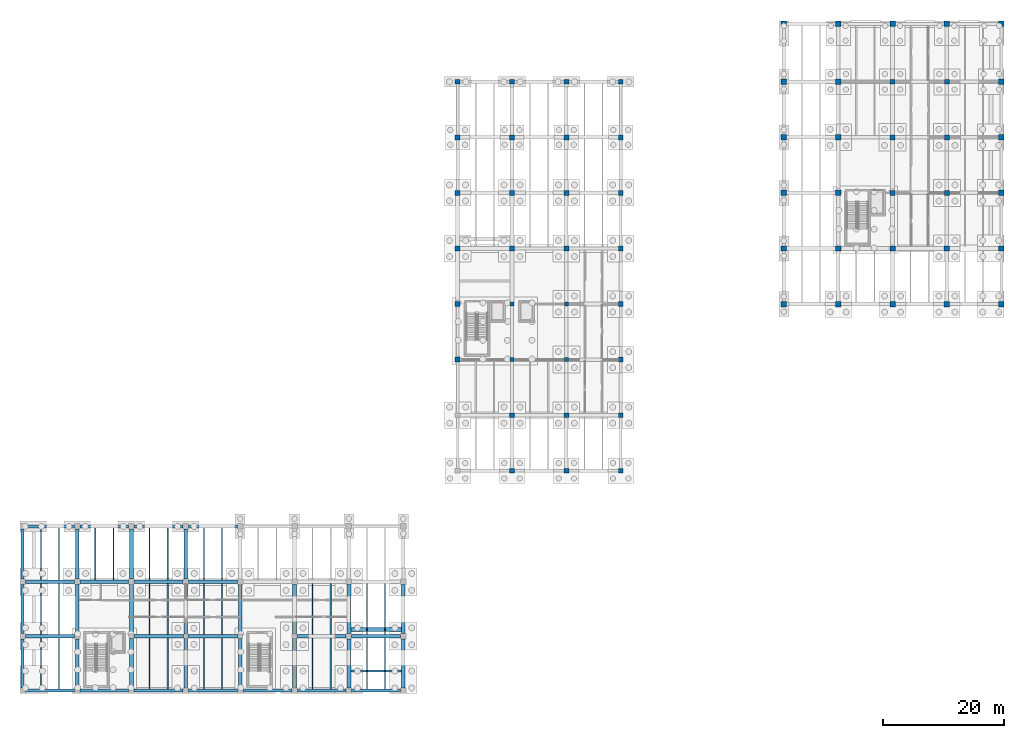
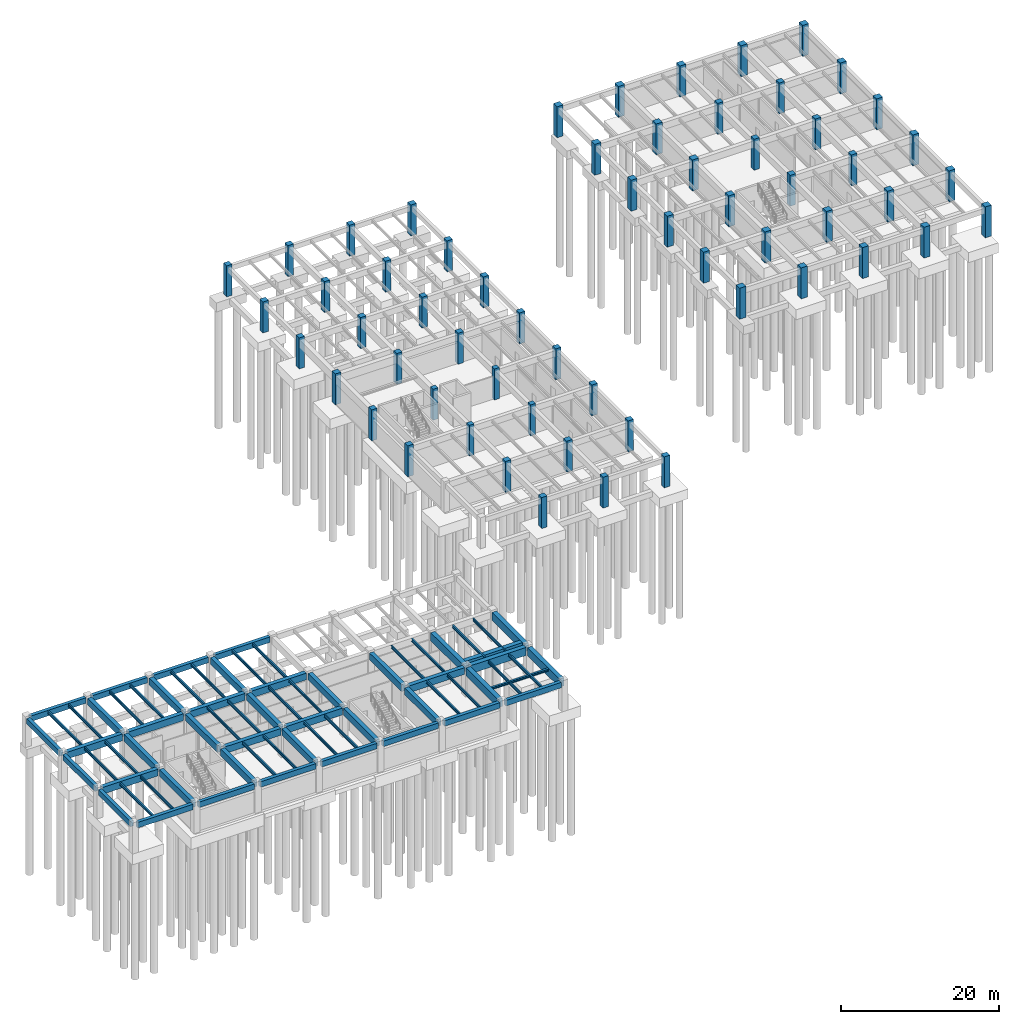
# One storey, part 5 of 16: 70 beams, 60 columns.
"""IFC4 building model written with IfcOpenShell, lengths in metres."""

from ifc_helpers import new_model, si_unit, direction, frame, origin, origin_2d, place, context, subcontext, project, spatial, rectangle, i_section, extrude, material, material_profile, profile_set, type_object, element, save


model = new_model("IFC4")

# Units and contexts
model_context = context("Model", 3, precision=1e-05, world=origin(), true_north=direction((0.0, 1.0)))
body_context = subcontext(model_context, "Body", "Model", "MODEL_VIEW")
ifc_project = project(units=[si_unit("LENGTHUNIT", "METRE"), si_unit("AREAUNIT", "SQUARE_METRE"), si_unit("VOLUMEUNIT", "CUBIC_METRE"), si_unit("PLANEANGLEUNIT", "RADIAN"), si_unit("MASSUNIT", "GRAM", prefix="KILO")], contexts=[model_context])

# Site, building, storey
site_placement = place(None, origin())
site = spatial("IfcSite", under=ifc_project, at=site_placement, CompositionType="ELEMENT")
building_placement = place(site_placement, origin())
building = spatial("IfcBuilding", under=site, at=building_placement, Name="Bozkorgan Art Gallery", CompositionType="ELEMENT")
storey_placement = place(building_placement, frame((0.0, 0.0, -4.800048828125)))
storey = spatial("IfcBuildingStorey", under=building, at=storey_placement, Name="B1", CompositionType="ELEMENT", Elevation=-4.800048828125)

# Columns
ifc_material_1 = material(Name="Concrete C40/50", Category="concrete")
ifc_material_profile_1 = material_profile(ifc_material_1, rectangle(XDim=0.699951171875, YDim=0.699951171875, at=origin_2d()), Name="RC 700x700")
ifc_profile_set_1 = profile_set([ifc_material_profile_1], Name="Concrete C40/50")
column_type_1 = type_object("IfcColumnType", Name="COLUMN-C-11", PredefinedType="COLUMN", material=ifc_profile_set_1)
for number, where, z_axis, x_axis, name in (
    (1, (83.0, 56.800048828125, 0.0), (0.0, 0.0, 1.0), (1.0, 0.0, 0.0), "V4 B1 column (83.0, 56.8)"),
    (2, (83.0, 66.0, 0.0), (0.0, 0.0, 1.0), (1.0, 0.0, 0.0), "V4 B1 column (83.0, 66.0)"),
    (3, (92.0, 56.800048828125, 0.0), (0.0, 0.0, 1.0), (1.0, 0.0, 0.0), "V4 B1 column (92.0, 56.8)"),
    (4, (92.0, 66.0, 0.0), (0.0, 0.0, 1.0), (1.0, 0.0, 0.0), "V4 B1 column (92.0, 66.0)"),
):
    element("IfcColumn", number, at=place(storey_placement, frame(where, z_axis=z_axis, x_axis=x_axis)), inside=storey, type_object=column_type_1, Name=name, PredefinedType="COLUMN", context=body_context, shape_type="SweptSolid", body=[
        extrude(rectangle(XDim=0.699951171875, YDim=0.699951171875, at=origin_2d()), origin(), (0.0, 0.0, 1.0), 4.800048828125),
    ])
ifc_material_profile_2 = material_profile(ifc_material_1, rectangle(XDim=0.89990234375, YDim=0.89990234375, at=origin_2d()), Name="RC 900x900")
ifc_profile_set_2 = profile_set([ifc_material_profile_2], Name="Concrete C40/50")
column_type_2 = type_object("IfcColumnType", Name="COLUMN-C-13", PredefinedType="COLUMN", material=ifc_profile_set_2)
for number, where, z_axis, x_axis, name in (
    (5, (128.0, 66.0, 0.0), (0.0, 0.0, 1.0), (1.0, 0.0, 0.0), "V5 B1 column (128.0, 66.0)"),
    (6, (128.0, 75.199951171875, 0.0), (0.0, 0.0, 1.0), (1.0, 0.0, 0.0), "V5 B1 column (128.0, 75.2)"),
    (7, (128.0, 84.39990234375, 0.0), (0.0, 0.0, 1.0), (1.0, 0.0, 0.0), "V5 B1 column (128.0, 84.4)"),
    (8, (128.0, 93.60009765625, 0.0), (0.0, 0.0, 1.0), (1.0, 0.0, 0.0), "V5 B1 column (128.0, 93.6)"),
    (9, (128.0, 102.800048828125, 0.0), (0.0, 0.0, 1.0), (1.0, 0.0, 0.0), "V5 B1 column (128.0, 102.8)"),
    (10, (128.0, 112.39990234375, 0.0), (0.0, 0.0, 1.0), (1.0, 0.0, 0.0), "V5 B1 column (128.0, 112.4)"),
    (11, (137.0, 66.0, 0.0), (0.0, 0.0, 1.0), (1.0, 0.0, 0.0), "V5 B1 column (137.0, 66.0)"),
    (12, (137.0, 75.199951171875, 0.0), (0.0, 0.0, 1.0), (1.0, 0.0, 0.0), "V5 B1 column (137.0, 75.2)"),
    (13, (137.0, 84.39990234375, 0.0), (0.0, 0.0, 1.0), (1.0, 0.0, 0.0), "V5 B1 column (137.0, 84.4)"),
    (14, (137.0, 93.60009765625, 0.0), (0.0, 0.0, 1.0), (1.0, 0.0, 0.0), "V5 B1 column (137.0, 93.6)"),
    (15, (137.0, 102.800048828125, 0.0), (0.0, 0.0, 1.0), (1.0, 0.0, 0.0), "V5 B1 column (137.0, 102.8)"),
    (16, (137.0, 112.39990234375, 0.0), (0.0, 0.0, 1.0), (1.0, 0.0, 0.0), "V5 B1 column (137.0, 112.4)"),
    (17, (146.0, 66.0, 0.0), (0.0, 0.0, 1.0), (1.0, 0.0, 0.0), "V5 B1 column (146.0, 66.0)"),
    (18, (146.0, 75.199951171875, 0.0), (0.0, 0.0, 1.0), (1.0, 0.0, 0.0), "V5 B1 column (146.0, 75.2)"),
    (19, (146.0, 112.39990234375, 0.0), (0.0, 0.0, 1.0), (1.0, 0.0, 0.0), "V5 B1 column (146.0, 112.4)"),
    (20, (155.0, 66.0, 0.0), (0.0, 0.0, 1.0), (1.0, 0.0, 0.0), "V5 B1 column (155.0, 66.0)"),
    (21, (155.0, 75.199951171875, 0.0), (0.0, 0.0, 1.0), (1.0, 0.0, 0.0), "V5 B1 column (155.0, 75.2)"),
    (22, (155.0, 112.39990234375, 0.0), (0.0, 0.0, 1.0), (1.0, 0.0, 0.0), "V5 B1 column (155.0, 112.4)"),
    (23, (164.0, 66.0, 0.0), (0.0, 0.0, 1.0), (1.0, 0.0, 0.0), "V5 B1 column (164.0, 66.0)"),
    (24, (164.0, 75.199951171875, 0.0), (0.0, 0.0, 1.0), (1.0, 0.0, 0.0), "V5 B1 column (164.0, 75.2)"),
    (25, (164.0, 84.39990234375, 0.0), (0.0, 0.0, 1.0), (1.0, 0.0, 0.0), "V5 B1 column (164.0, 84.4)"),
    (26, (164.0, 93.60009765625, 0.0), (0.0, 0.0, 1.0), (1.0, 0.0, 0.0), "V5 B1 column (164.0, 93.6)"),
    (27, (164.0, 102.800048828125, 0.0), (0.0, 0.0, 1.0), (1.0, 0.0, 0.0), "V5 B1 column (164.0, 102.8)"),
    (28, (164.0, 112.39990234375, 0.0), (0.0, 0.0, 1.0), (1.0, 0.0, 0.0), "V5 B1 column (164.0, 112.4)"),
):
    element("IfcColumn", number, at=place(storey_placement, frame(where, z_axis=z_axis, x_axis=x_axis)), inside=storey, type_object=column_type_2, Name=name, PredefinedType="COLUMN", context=body_context, shape_type="SweptSolid", body=[
        extrude(rectangle(XDim=0.89990234375, YDim=0.89990234375, at=origin_2d()), origin(), (0.0, 0.0, 1.0), 4.800048828125),
    ])
ifc_material_profile_3 = material_profile(ifc_material_1, rectangle(XDim=0.800048828125, YDim=0.800048828125, at=origin_2d()), Name="RC 800x800")
ifc_profile_set_3 = profile_set([ifc_material_profile_3], Name="Concrete C40/50")
column_type_3 = type_object("IfcColumnType", Name="COLUMN-C-29", PredefinedType="COLUMN", material=ifc_profile_set_3)
for number, where, z_axis, x_axis, name in (
    (29, (146.0, 84.39990234375, 0.0), (0.0, 0.0, 1.0), (1.0, 0.0, 0.0), "V5 B1 column (146.0, 84.4)"),
    (30, (146.0, 93.60009765625, 0.0), (0.0, 0.0, 1.0), (1.0, 0.0, 0.0), "V5 B1 column (146.0, 93.6)"),
    (31, (146.0, 102.800048828125, 0.0), (0.0, 0.0, 1.0), (1.0, 0.0, 0.0), "V5 B1 column (146.0, 102.8)"),
    (32, (155.0, 84.39990234375, 0.0), (0.0, 0.0, 1.0), (1.0, 0.0, 0.0), "V5 B1 column (155.0, 84.4)"),
    (33, (155.0, 93.60009765625, 0.0), (0.0, 0.0, 1.0), (1.0, 0.0, 0.0), "V5 B1 column (155.0, 93.6)"),
    (34, (155.0, 102.800048828125, 0.0), (0.0, 0.0, 1.0), (1.0, 0.0, 0.0), "V5 B1 column (155.0, 102.8)"),
):
    element("IfcColumn", number, at=place(storey_placement, frame(where, z_axis=z_axis, x_axis=x_axis)), inside=storey, type_object=column_type_3, Name=name, PredefinedType="COLUMN", context=body_context, shape_type="SweptSolid", body=[
        extrude(rectangle(XDim=0.800048828125, YDim=0.800048828125, at=origin_2d()), origin(), (0.0, 0.0, 1.0), 4.800048828125),
    ])
ifc_material_profile_4 = material_profile(ifc_material_1, rectangle(XDim=0.800048828125, YDim=0.800048828125, at=origin_2d()), Name="RC 800x800")
ifc_profile_set_4 = profile_set([ifc_material_profile_4], Name="Concrete C40/50")
column_type_4 = type_object("IfcColumnType", Name="COLUMN-C-45", PredefinedType="COLUMN", material=ifc_profile_set_4)
for number, where, z_axis, x_axis, name in (
    (35, (74.0, 56.800048828125, 0.0), (0.0, 0.0, 1.0), (1.0, 0.0, 0.0), "V4 B1 column (74.0, 56.8)"),
    (36, (74.0, 66.0, 0.0), (0.0, 0.0, 1.0), (1.0, 0.0, 0.0), "V4 B1 column (74.0, 66.0)"),
    (37, (74.0, 75.199951171875, 0.0), (0.0, 0.0, 1.0), (1.0, 0.0, 0.0), "V4 B1 column (74.0, 75.2)"),
    (38, (74.0, 84.39990234375, 0.0), (0.0, 0.0, 1.0), (1.0, 0.0, 0.0), "V4 B1 column (74.0, 84.4)"),
    (39, (74.0, 93.60009765625, 0.0), (0.0, 0.0, 1.0), (1.0, 0.0, 0.0), "V4 B1 column (74.0, 93.6)"),
    (40, (74.0, 102.800048828125, 0.0), (0.0, 0.0, 1.0), (1.0, 0.0, 0.0), "V4 B1 column (74.0, 102.8)"),
    (41, (83.0, 38.39990234375, 0.0), (0.0, 0.0, 1.0), (1.0, 0.0, 0.0), "V4 B1 column (83.0, 38.4)"),
    (42, (83.0, 47.60009765625, 0.0), (0.0, 0.0, 1.0), (1.0, 0.0, 0.0), "V4 B1 column (83.0, 47.6)"),
    (43, (83.0, 75.199951171875, 0.0), (0.0, 0.0, 1.0), (1.0, 0.0, 0.0), "V4 B1 column (83.0, 75.2)"),
    (44, (83.0, 84.39990234375, 0.0), (0.0, 0.0, 1.0), (1.0, 0.0, 0.0), "V4 B1 column (83.0, 84.4)"),
    (45, (83.0, 93.60009765625, 0.0), (0.0, 0.0, 1.0), (1.0, 0.0, 0.0), "V4 B1 column (83.0, 93.6)"),
    (46, (83.0, 102.800048828125, 0.0), (0.0, 0.0, 1.0), (1.0, 0.0, 0.0), "V4 B1 column (83.0, 102.8)"),
    (47, (92.0, 38.39990234375, 0.0), (0.0, 0.0, 1.0), (1.0, 0.0, 0.0), "V4 B1 column (92.0, 38.4)"),
    (48, (92.0, 47.60009765625, 0.0), (0.0, 0.0, 1.0), (1.0, 0.0, 0.0), "V4 B1 column (92.0, 47.6)"),
    (49, (92.0, 75.199951171875, 0.0), (0.0, 0.0, 1.0), (1.0, 0.0, 0.0), "V4 B1 column (92.0, 75.2)"),
    (50, (92.0, 84.39990234375, 0.0), (0.0, 0.0, 1.0), (1.0, 0.0, 0.0), "V4 B1 column (92.0, 84.4)"),
    (51, (92.0, 93.60009765625, 0.0), (0.0, 0.0, 1.0), (1.0, 0.0, 0.0), "V4 B1 column (92.0, 93.6)"),
    (52, (92.0, 102.800048828125, 0.0), (0.0, 0.0, 1.0), (1.0, 0.0, 0.0), "V4 B1 column (92.0, 102.8)"),
    (53, (101.0, 38.39990234375, 0.0), (0.0, 0.0, 1.0), (1.0, 0.0, 0.0), "V4 B1 column (101.0, 38.4)"),
    (54, (101.0, 47.60009765625, 0.0), (0.0, 0.0, 1.0), (1.0, 0.0, 0.0), "V4 B1 column (101.0, 47.6)"),
    (55, (101.0, 56.800048828125, 0.0), (0.0, 0.0, 1.0), (1.0, 0.0, 0.0), "V4 B1 column (101.0, 56.8)"),
    (56, (101.0, 66.0, 0.0), (0.0, 0.0, 1.0), (1.0, 0.0, 0.0), "V4 B1 column (101.0, 66.0)"),
    (57, (101.0, 75.199951171875, 0.0), (0.0, 0.0, 1.0), (1.0, 0.0, 0.0), "V4 B1 column (101.0, 75.2)"),
    (58, (101.0, 84.39990234375, 0.0), (0.0, 0.0, 1.0), (1.0, 0.0, 0.0), "V4 B1 column (101.0, 84.4)"),
    (59, (101.0, 93.60009765625, 0.0), (0.0, 0.0, 1.0), (1.0, 0.0, 0.0), "V4 B1 column (101.0, 93.6)"),
    (60, (101.0, 102.800048828125, 0.0), (0.0, 0.0, 1.0), (1.0, 0.0, 0.0), "V4 B1 column (101.0, 102.8)"),
):
    element("IfcColumn", number, at=place(storey_placement, frame(where, z_axis=z_axis, x_axis=x_axis)), inside=storey, type_object=column_type_4, Name=name, PredefinedType="COLUMN", context=body_context, shape_type="SweptSolid", body=[
        extrude(rectangle(XDim=0.800048828125, YDim=0.800048828125, at=origin_2d()), origin(), (0.0, 0.0, 1.0), 4.800048828125),
    ])

# Beams
ifc_material_2 = material(Name="Concrete C35/45", Category="concrete")
ifc_material_profile_5 = material_profile(ifc_material_2, rectangle(XDim=0.60009765625, YDim=1.050048828125, at=origin_2d()), Name="RC 600x1050")
ifc_profile_set_5 = profile_set([ifc_material_profile_5], Name="Concrete C35/45")
beam_type_1 = type_object("IfcBeamType", Name="BEAM-BM-25", PredefinedType="BEAM", material=ifc_profile_set_5)
beam_1_placement = place(storey_placement, frame((2.449951171875, 11.0, 3.955078125), z_axis=(1.0, 0.0, 0.0), x_axis=(0.0, 1.0, 0.0)))
element("IfcBeam", 61, at=beam_1_placement, inside=storey, type_object=beam_type_1, Name="V1 B1 beam X (2-11, 11.0)", PredefinedType="BEAM", context=body_context, shape_type="SweptSolid", body=[
    extrude(rectangle(XDim=0.60009765625, YDim=1.050048828125, at=origin_2d()), origin(), (0.0, 0.0, 1.0), 8.10009765625),
])
for number, where, z_axis, x_axis, name in (
    (62, (20.39990234375, 11.0, 3.955078125), (1.0, 0.0, 0.0), (0.0, 1.0, 0.0), "V1 B1 beam X (20-29, 11.0)"),
    (63, (29.39990234375, 11.0, 3.955078125), (1.0, 0.0, 0.0), (0.0, 1.0, 0.0), "V1 B1 beam X (29-38, 11.0)"),
):
    element("IfcBeam", number, at=place(storey_placement, frame(where, z_axis=z_axis, x_axis=x_axis)), inside=storey, type_object=beam_type_1, Name=name, PredefinedType="BEAM", context=body_context, shape_type="SweptSolid", body=[
        extrude(rectangle(XDim=0.60009765625, YDim=1.050048828125, at=origin_2d()), origin(), (0.0, 0.0, 1.0), 8.2001953125),
    ])
beam_2_placement = place(storey_placement, frame((47.39990234375, 11.0, 3.955078125), z_axis=(1.0, 0.0, 0.0), x_axis=(0.0, 1.0, 0.0)))
element("IfcBeam", 64, at=beam_2_placement, inside=storey, type_object=beam_type_1, Name="V1 B1 beam X (47-56, 11.0)", PredefinedType="BEAM", context=body_context, shape_type="SweptSolid", body=[
    extrude(rectangle(XDim=0.60009765625, YDim=1.050048828125, at=origin_2d()), origin(), (0.0, 0.0, 1.0), 8.150146484375),
])
for number, where, z_axis, x_axis, name in (
    (65, (2.449951171875, 20.0, 3.955078125), (1.0, 0.0, 0.0), (0.0, 1.0, 0.0), "V1 B1 beam X (2-11, 20.0)"),
    (66, (11.449951171875, 20.0, 3.955078125), (1.0, 0.0, 0.0), (0.0, 1.0, 0.0), "V1 B1 beam X (11-20, 20.0)"),
    (67, (20.449951171875, 20.0, 3.955078125), (1.0, 0.0, 0.0), (0.0, 1.0, 0.0), "V1 B1 beam X (20-29, 20.0)"),
    (68, (29.449951171875, 20.0, 3.955078125), (1.0, 0.0, 0.0), (0.0, 1.0, 0.0), "V1 B1 beam X (29-38, 20.0)"),
    (69, (11.0, 2.449951171875, 3.955078125), (0.0, 1.0, 0.0), (-1.0, 0.0, 0.0), "V1 B1 beam Y (11, 2.0-11.0)"),
    (70, (11.0, 11.449951171875, 3.955078125), (0.0, 1.0, 0.0), (-1.0, 0.0, 0.0), "V1 B1 beam Y (11, 11.0-20.0)"),
):
    element("IfcBeam", number, at=place(storey_placement, frame(where, z_axis=z_axis, x_axis=x_axis)), inside=storey, type_object=beam_type_1, Name=name, PredefinedType="BEAM", context=body_context, shape_type="SweptSolid", body=[
        extrude(rectangle(XDim=0.60009765625, YDim=1.050048828125, at=origin_2d()), origin(), (0.0, 0.0, 1.0), 8.10009765625),
    ])
beam_3_placement = place(storey_placement, frame((11.0, 20.449951171875, 3.955078125), z_axis=(0.0, 1.0, 0.0), x_axis=(-1.0, 0.0, 0.0)))
element("IfcBeam", 71, at=beam_3_placement, inside=storey, type_object=beam_type_1, Name="V1 B1 beam Y (11, 20.0-29.2)", PredefinedType="BEAM", context=body_context, shape_type="SweptSolid", body=[
    extrude(rectangle(XDim=0.60009765625, YDim=1.050048828125, at=origin_2d()), origin(), (0.0, 0.0, 1.0), 8.300048828125),
])
for number, where, z_axis, x_axis, name in (
    (72, (20.0, 2.449951171875, 3.955078125), (0.0, 1.0, 0.0), (-1.0, 0.0, 0.0), "V1 B1 beam Y (20, 2.0-11.0)"),
    (73, (20.0, 11.39990234375, 3.955078125), (0.0, 1.0, 0.0), (-1.0, 0.0, 0.0), "V1 B1 beam Y (20, 11.0-20.0)"),
):
    element("IfcBeam", number, at=place(storey_placement, frame(where, z_axis=z_axis, x_axis=x_axis)), inside=storey, type_object=beam_type_1, Name=name, PredefinedType="BEAM", context=body_context, shape_type="SweptSolid", body=[
        extrude(rectangle(XDim=0.60009765625, YDim=1.050048828125, at=origin_2d()), origin(), (0.0, 0.0, 1.0), 8.150146484375),
    ])
beam_4_placement = place(storey_placement, frame((20.0, 20.449951171875, 3.955078125), z_axis=(0.0, 1.0, 0.0), x_axis=(-1.0, 0.0, 0.0)))
element("IfcBeam", 74, at=beam_4_placement, inside=storey, type_object=beam_type_1, Name="V1 B1 beam Y (20, 20.0-29.2)", PredefinedType="BEAM", context=body_context, shape_type="SweptSolid", body=[
    extrude(rectangle(XDim=0.60009765625, YDim=1.050048828125, at=origin_2d()), origin(), (0.0, 0.0, 1.0), 8.300048828125),
])
for number, where, z_axis, x_axis, name in (
    (75, (29.0, 2.449951171875, 3.955078125), (0.0, 1.0, 0.0), (-1.0, 0.0, 0.0), "V1 B1 beam Y (29, 2.0-11.0)"),
    (76, (29.0, 11.39990234375, 3.955078125), (0.0, 1.0, 0.0), (-1.0, 0.0, 0.0), "V1 B1 beam Y (29, 11.0-20.0)"),
):
    element("IfcBeam", number, at=place(storey_placement, frame(where, z_axis=z_axis, x_axis=x_axis)), inside=storey, type_object=beam_type_1, Name=name, PredefinedType="BEAM", context=body_context, shape_type="SweptSolid", body=[
        extrude(rectangle(XDim=0.60009765625, YDim=1.050048828125, at=origin_2d()), origin(), (0.0, 0.0, 1.0), 8.150146484375),
    ])
beam_5_placement = place(storey_placement, frame((29.0, 20.449951171875, 3.955078125), z_axis=(0.0, 1.0, 0.0), x_axis=(-1.0, 0.0, 0.0)))
element("IfcBeam", 77, at=beam_5_placement, inside=storey, type_object=beam_type_1, Name="V1 B1 beam Y (29, 20.0-29.2)", PredefinedType="BEAM", context=body_context, shape_type="SweptSolid", body=[
    extrude(rectangle(XDim=0.60009765625, YDim=1.050048828125, at=origin_2d()), origin(), (0.0, 0.0, 1.0), 8.300048828125),
])
for number, where, z_axis, x_axis, name in (
    (78, (38.0, 2.449951171875, 3.955078125), (0.0, 1.0, 0.0), (-1.0, 0.0, 0.0), "V1 B1 beam Y (38, 2.0-11.0)"),
    (79, (38.0, 11.39990234375, 3.955078125), (0.0, 1.0, 0.0), (-1.0, 0.0, 0.0), "V1 B1 beam Y (38, 11.0-20.0)"),
    (80, (47.0, 2.449951171875, 3.955078125), (0.0, 1.0, 0.0), (-1.0, 0.0, 0.0), "V1 B1 beam Y (47, 2.0-11.0)"),
    (81, (47.0, 11.39990234375, 3.955078125), (0.0, 1.0, 0.0), (-1.0, 0.0, 0.0), "V1 B1 beam Y (47, 11.0-20.0)"),
):
    element("IfcBeam", number, at=place(storey_placement, frame(where, z_axis=z_axis, x_axis=x_axis)), inside=storey, type_object=beam_type_1, Name=name, PredefinedType="BEAM", context=body_context, shape_type="SweptSolid", body=[
        extrude(rectangle(XDim=0.60009765625, YDim=1.050048828125, at=origin_2d()), origin(), (0.0, 0.0, 1.0), 8.150146484375),
    ])
ifc_material_3 = material(Name="Steel S355J2", Category="steel")
ifc_material_profile_6 = material_profile(ifc_material_3, i_section(OverallWidth=0.18994140625, OverallDepth=0.449951171875, WebThickness=0.009521484375, FlangeThickness=0.0146484375, FilletRadius=0.02099609375, at=origin_2d()), Name="IPE 450")
ifc_profile_set_6 = profile_set([ifc_material_profile_6], Name="Steel S355J2")
beam_type_2 = type_object("IfcBeamType", Name="BEAM-JS-56", PredefinedType="JOIST", material=ifc_profile_set_6)
for number, where, z_axis, x_axis, name in (
    (82, (5.0, 2.25, 4.255126953125), (0.0, 1.0, 0.0), (-1.0, 0.0, 0.0), "V1 B1 secondary joist (2-11, 2.0-11.0) #1"),
    (83, (8.0, 2.25, 4.255126953125), (0.0, 1.0, 0.0), (-1.0, 0.0, 0.0), "V1 B1 secondary joist (2-11, 2.0-11.0) #2"),
):
    element("IfcBeam", number, at=place(storey_placement, frame(where, z_axis=z_axis, x_axis=x_axis)), inside=storey, type_object=beam_type_2, Name=name, PredefinedType="JOIST", context=body_context, shape_type="SweptSolid", body=[
        extrude(i_section(OverallWidth=0.18994140625, OverallDepth=0.449951171875, WebThickness=0.009521484375, FlangeThickness=0.0146484375, FilletRadius=0.02099609375, at=origin_2d()), origin(), (0.0, 0.0, 1.0), 8.449951171875),
    ])
for number, where, z_axis, x_axis, name in (
    (84, (5.0, 11.300048828125, 4.255126953125), (0.0, 1.0, 0.0), (-1.0, 0.0, 0.0), "V1 B1 secondary joist (2-11, 11.0-20.0) #1"),
    (85, (8.0, 11.300048828125, 4.255126953125), (0.0, 1.0, 0.0), (-1.0, 0.0, 0.0), "V1 B1 secondary joist (2-11, 11.0-20.0) #2"),
):
    element("IfcBeam", number, at=place(storey_placement, frame(where, z_axis=z_axis, x_axis=x_axis)), inside=storey, type_object=beam_type_2, Name=name, PredefinedType="JOIST", context=body_context, shape_type="SweptSolid", body=[
        extrude(i_section(OverallWidth=0.18994140625, OverallDepth=0.449951171875, WebThickness=0.009521484375, FlangeThickness=0.0146484375, FilletRadius=0.02099609375, at=origin_2d()), origin(), (0.0, 0.0, 1.0), 8.39990234375),
    ])
for number, where, z_axis, x_axis, name in (
    (86, (5.0, 20.300048828125, 4.255126953125), (0.0, 1.0, 0.0), (-1.0, 0.0, 0.0), "V1 B1 secondary joist (2-11, 20.0-29.2) #1"),
    (87, (8.0, 20.300048828125, 4.255126953125), (0.0, 1.0, 0.0), (-1.0, 0.0, 0.0), "V1 B1 secondary joist (2-11, 20.0-29.2) #2"),
    (88, (14.0, 20.300048828125, 4.255126953125), (0.0, 1.0, 0.0), (-1.0, 0.0, 0.0), "V1 B1 secondary joist (11-20, 20.0-29.2) #1"),
    (89, (17.0, 20.300048828125, 4.255126953125), (0.0, 1.0, 0.0), (-1.0, 0.0, 0.0), "V1 B1 secondary joist (11-20, 20.0-29.2) #2"),
):
    element("IfcBeam", number, at=place(storey_placement, frame(where, z_axis=z_axis, x_axis=x_axis)), inside=storey, type_object=beam_type_2, Name=name, PredefinedType="JOIST", context=body_context, shape_type="SweptSolid", body=[
        extrude(i_section(OverallWidth=0.18994140625, OverallDepth=0.449951171875, WebThickness=0.009521484375, FlangeThickness=0.0146484375, FilletRadius=0.02099609375, at=origin_2d()), origin(), (0.0, 0.0, 1.0), 8.64990234375),
    ])
for number, where, z_axis, x_axis, name in (
    (90, (23.0, 2.25, 4.255126953125), (0.0, 1.0, 0.0), (-1.0, 0.0, 0.0), "V1 B1 secondary joist (20-29, 2.0-11.0) #1"),
    (91, (26.0, 2.25, 4.255126953125), (0.0, 1.0, 0.0), (-1.0, 0.0, 0.0), "V1 B1 secondary joist (20-29, 2.0-11.0) #2"),
):
    element("IfcBeam", number, at=place(storey_placement, frame(where, z_axis=z_axis, x_axis=x_axis)), inside=storey, type_object=beam_type_2, Name=name, PredefinedType="JOIST", context=body_context, shape_type="SweptSolid", body=[
        extrude(i_section(OverallWidth=0.18994140625, OverallDepth=0.449951171875, WebThickness=0.009521484375, FlangeThickness=0.0146484375, FilletRadius=0.02099609375, at=origin_2d()), origin(), (0.0, 0.0, 1.0), 8.449951171875),
    ])
for number, where, z_axis, x_axis, name in (
    (92, (23.0, 11.300048828125, 4.255126953125), (0.0, 1.0, 0.0), (-1.0, 0.0, 0.0), "V1 B1 secondary joist (20-29, 11.0-20.0) #1"),
    (93, (26.0, 11.300048828125, 4.255126953125), (0.0, 1.0, 0.0), (-1.0, 0.0, 0.0), "V1 B1 secondary joist (20-29, 11.0-20.0) #2"),
):
    element("IfcBeam", number, at=place(storey_placement, frame(where, z_axis=z_axis, x_axis=x_axis)), inside=storey, type_object=beam_type_2, Name=name, PredefinedType="JOIST", context=body_context, shape_type="SweptSolid", body=[
        extrude(i_section(OverallWidth=0.18994140625, OverallDepth=0.449951171875, WebThickness=0.009521484375, FlangeThickness=0.0146484375, FilletRadius=0.02099609375, at=origin_2d()), origin(), (0.0, 0.0, 1.0), 8.39990234375),
    ])
for number, where, z_axis, x_axis, name in (
    (94, (23.0, 20.300048828125, 4.255126953125), (0.0, 1.0, 0.0), (-1.0, 0.0, 0.0), "V1 B1 secondary joist (20-29, 20.0-29.2) #1"),
    (95, (26.0, 20.300048828125, 4.255126953125), (0.0, 1.0, 0.0), (-1.0, 0.0, 0.0), "V1 B1 secondary joist (20-29, 20.0-29.2) #2"),
):
    element("IfcBeam", number, at=place(storey_placement, frame(where, z_axis=z_axis, x_axis=x_axis)), inside=storey, type_object=beam_type_2, Name=name, PredefinedType="JOIST", context=body_context, shape_type="SweptSolid", body=[
        extrude(i_section(OverallWidth=0.18994140625, OverallDepth=0.449951171875, WebThickness=0.009521484375, FlangeThickness=0.0146484375, FilletRadius=0.02099609375, at=origin_2d()), origin(), (0.0, 0.0, 1.0), 8.64990234375),
    ])
for number, where, z_axis, x_axis, name in (
    (96, (32.0, 2.25, 4.255126953125), (0.0, 1.0, 0.0), (-1.0, 0.0, 0.0), "V1 B1 secondary joist (29-38, 2.0-11.0) #1"),
    (97, (35.0, 2.25, 4.255126953125), (0.0, 1.0, 0.0), (-1.0, 0.0, 0.0), "V1 B1 secondary joist (29-38, 2.0-11.0) #2"),
):
    element("IfcBeam", number, at=place(storey_placement, frame(where, z_axis=z_axis, x_axis=x_axis)), inside=storey, type_object=beam_type_2, Name=name, PredefinedType="JOIST", context=body_context, shape_type="SweptSolid", body=[
        extrude(i_section(OverallWidth=0.18994140625, OverallDepth=0.449951171875, WebThickness=0.009521484375, FlangeThickness=0.0146484375, FilletRadius=0.02099609375, at=origin_2d()), origin(), (0.0, 0.0, 1.0), 8.449951171875),
    ])
for number, where, z_axis, x_axis, name in (
    (98, (32.0, 11.300048828125, 4.255126953125), (0.0, 1.0, 0.0), (-1.0, 0.0, 0.0), "V1 B1 secondary joist (29-38, 11.0-20.0) #1"),
    (99, (35.0, 11.300048828125, 4.255126953125), (0.0, 1.0, 0.0), (-1.0, 0.0, 0.0), "V1 B1 secondary joist (29-38, 11.0-20.0) #2"),
):
    element("IfcBeam", number, at=place(storey_placement, frame(where, z_axis=z_axis, x_axis=x_axis)), inside=storey, type_object=beam_type_2, Name=name, PredefinedType="JOIST", context=body_context, shape_type="SweptSolid", body=[
        extrude(i_section(OverallWidth=0.18994140625, OverallDepth=0.449951171875, WebThickness=0.009521484375, FlangeThickness=0.0146484375, FilletRadius=0.02099609375, at=origin_2d()), origin(), (0.0, 0.0, 1.0), 8.39990234375),
    ])
for number, where, z_axis, x_axis, name in (
    (100, (32.0, 20.300048828125, 4.255126953125), (0.0, 1.0, 0.0), (-1.0, 0.0, 0.0), "V1 B1 secondary joist (29-38, 20.0-29.2) #1"),
    (101, (35.0, 20.300048828125, 4.255126953125), (0.0, 1.0, 0.0), (-1.0, 0.0, 0.0), "V1 B1 secondary joist (29-38, 20.0-29.2) #2"),
):
    element("IfcBeam", number, at=place(storey_placement, frame(where, z_axis=z_axis, x_axis=x_axis)), inside=storey, type_object=beam_type_2, Name=name, PredefinedType="JOIST", context=body_context, shape_type="SweptSolid", body=[
        extrude(i_section(OverallWidth=0.18994140625, OverallDepth=0.449951171875, WebThickness=0.009521484375, FlangeThickness=0.0146484375, FilletRadius=0.02099609375, at=origin_2d()), origin(), (0.0, 0.0, 1.0), 8.64990234375),
    ])
for number, where, z_axis, x_axis, name in (
    (102, (50.0, 2.25, 4.255126953125), (0.0, 1.0, 0.0), (-1.0, 0.0, 0.0), "V1 B1 secondary joist (47-56, 2.0-11.0) #1"),
    (103, (53.0, 2.25, 4.255126953125), (0.0, 1.0, 0.0), (-1.0, 0.0, 0.0), "V1 B1 secondary joist (47-56, 2.0-11.0) #2"),
):
    element("IfcBeam", number, at=place(storey_placement, frame(where, z_axis=z_axis, x_axis=x_axis)), inside=storey, type_object=beam_type_2, Name=name, PredefinedType="JOIST", context=body_context, shape_type="SweptSolid", body=[
        extrude(i_section(OverallWidth=0.18994140625, OverallDepth=0.449951171875, WebThickness=0.009521484375, FlangeThickness=0.0146484375, FilletRadius=0.02099609375, at=origin_2d()), origin(), (0.0, 0.0, 1.0), 8.449951171875),
    ])
for number, where, z_axis, x_axis, name in (
    (104, (50.0, 11.300048828125, 4.255126953125), (0.0, 1.0, 0.0), (-1.0, 0.0, 0.0), "V1 B1 secondary joist (47-56, 11.0-20.0) #1"),
    (105, (53.0, 11.300048828125, 4.255126953125), (0.0, 1.0, 0.0), (-1.0, 0.0, 0.0), "V1 B1 secondary joist (47-56, 11.0-20.0) #2"),
):
    element("IfcBeam", number, at=place(storey_placement, frame(where, z_axis=z_axis, x_axis=x_axis)), inside=storey, type_object=beam_type_2, Name=name, PredefinedType="JOIST", context=body_context, shape_type="SweptSolid", body=[
        extrude(i_section(OverallWidth=0.18994140625, OverallDepth=0.449951171875, WebThickness=0.009521484375, FlangeThickness=0.0146484375, FilletRadius=0.02099609375, at=origin_2d()), origin(), (0.0, 0.0, 1.0), 8.39990234375),
    ])
for number, where, z_axis, x_axis, name in (
    (106, (59.0, 2.25, 4.255126953125), (0.0, 1.0, 0.0), (-1.0, 0.0, 0.0), "V1 B1 secondary joist (56-65, 2.0-11.0) #1"),
    (107, (62.0, 2.25, 4.255126953125), (0.0, 1.0, 0.0), (-1.0, 0.0, 0.0), "V1 B1 secondary joist (56-65, 2.0-11.0) #2"),
):
    element("IfcBeam", number, at=place(storey_placement, frame(where, z_axis=z_axis, x_axis=x_axis)), inside=storey, type_object=beam_type_2, Name=name, PredefinedType="JOIST", context=body_context, shape_type="SweptSolid", body=[
        extrude(i_section(OverallWidth=0.18994140625, OverallDepth=0.449951171875, WebThickness=0.009521484375, FlangeThickness=0.0146484375, FilletRadius=0.02099609375, at=origin_2d()), origin(), (0.0, 0.0, 1.0), 8.425048828125),
    ])
for number, where, z_axis, x_axis, name in (
    (108, (59.0, 11.324951171875, 4.255126953125), (0.0, 1.0, 0.0), (-1.0, 0.0, 0.0), "V1 B1 secondary joist (56-65, 11.0-20.0) #1"),
    (109, (62.0, 11.324951171875, 4.255126953125), (0.0, 1.0, 0.0), (-1.0, 0.0, 0.0), "V1 B1 secondary joist (56-65, 11.0-20.0) #2"),
):
    element("IfcBeam", number, at=place(storey_placement, frame(where, z_axis=z_axis, x_axis=x_axis)), inside=storey, type_object=beam_type_2, Name=name, PredefinedType="JOIST", context=body_context, shape_type="SweptSolid", body=[
        extrude(i_section(OverallWidth=0.18994140625, OverallDepth=0.449951171875, WebThickness=0.009521484375, FlangeThickness=0.0146484375, FilletRadius=0.02099609375, at=origin_2d()), origin(), (0.0, 0.0, 1.0), 8.375),
    ])
ifc_material_profile_7 = material_profile(ifc_material_2, rectangle(XDim=0.5, YDim=0.85009765625, at=origin_2d()), Name="RC 500x850")
ifc_profile_set_7 = profile_set([ifc_material_profile_7], Name="Concrete C35/45")
beam_type_3 = type_object("IfcBeamType", Name="BEAM-SP-30", PredefinedType="SPANDREL", material=ifc_profile_set_7)
for number, where, z_axis, x_axis, name in (
    (110, (2.449951171875, 2.0, 4.054931640625), (1.0, 0.0, 0.0), (0.0, 1.0, 0.0), "V1 B1 spandrel X (2-11, 2.0)"),
    (111, (11.449951171875, 2.0, 4.054931640625), (1.0, 0.0, 0.0), (0.0, 1.0, 0.0), "V1 B1 spandrel X (11-20, 2.0)"),
    (112, (20.449951171875, 2.0, 4.054931640625), (1.0, 0.0, 0.0), (0.0, 1.0, 0.0), "V1 B1 spandrel X (20-29, 2.0)"),
    (113, (29.449951171875, 2.0, 4.054931640625), (1.0, 0.0, 0.0), (0.0, 1.0, 0.0), "V1 B1 spandrel X (29-38, 2.0)"),
    (114, (38.449951171875, 2.0, 4.054931640625), (1.0, 0.0, 0.0), (0.0, 1.0, 0.0), "V1 B1 spandrel X (38-47, 2.0)"),
    (115, (47.449951171875, 2.0, 4.054931640625), (1.0, 0.0, 0.0), (0.0, 1.0, 0.0), "V1 B1 spandrel X (47-56, 2.0)"),
    (116, (56.449951171875, 2.0, 4.054931640625), (1.0, 0.0, 0.0), (0.0, 1.0, 0.0), "V1 B1 spandrel X (56-65, 2.0)"),
    (117, (2.449951171875, 29.199951171875, 4.054931640625), (1.0, 0.0, 0.0), (0.0, 1.0, 0.0), "V1 B1 spandrel X (2-11, 29.2)"),
    (118, (11.449951171875, 29.199951171875, 4.054931640625), (1.0, 0.0, 0.0), (0.0, 1.0, 0.0), "V1 B1 spandrel X (11-20, 29.2)"),
    (119, (20.449951171875, 29.199951171875, 4.054931640625), (1.0, 0.0, 0.0), (0.0, 1.0, 0.0), "V1 B1 spandrel X (20-29, 29.2)"),
    (120, (29.449951171875, 29.199951171875, 4.054931640625), (1.0, 0.0, 0.0), (0.0, 1.0, 0.0), "V1 B1 spandrel X (29-38, 29.2)"),
    (121, (2.0, 2.449951171875, 4.054931640625), (0.0, 1.0, 0.0), (-1.0, 0.0, 0.0), "V1 B1 spandrel Y (2, 2.0-11.0)"),
    (122, (2.0, 11.449951171875, 4.054931640625), (0.0, 1.0, 0.0), (-1.0, 0.0, 0.0), "V1 B1 spandrel Y (2, 11.0-20.0)"),
):
    element("IfcBeam", number, at=place(storey_placement, frame(where, z_axis=z_axis, x_axis=x_axis)), inside=storey, type_object=beam_type_3, Name=name, PredefinedType="SPANDREL", context=body_context, shape_type="SweptSolid", body=[
        extrude(rectangle(XDim=0.5, YDim=0.85009765625, at=origin_2d()), origin(), (0.0, 0.0, 1.0), 8.10009765625),
    ])
beam_6_placement = place(storey_placement, frame((2.0, 20.449951171875, 4.054931640625), z_axis=(0.0, 1.0, 0.0), x_axis=(-1.0, 0.0, 0.0)))
element("IfcBeam", 123, at=beam_6_placement, inside=storey, type_object=beam_type_3, Name="V1 B1 spandrel Y (2, 20.0-29.2)", PredefinedType="SPANDREL", context=body_context, shape_type="SweptSolid", body=[
    extrude(rectangle(XDim=0.5, YDim=0.85009765625, at=origin_2d()), origin(), (0.0, 0.0, 1.0), 8.300048828125),
])
ifc_material_profile_8 = material_profile(ifc_material_1, rectangle(XDim=0.64990234375, YDim=1.25, at=origin_2d()), Name="RC 650x1250")
ifc_profile_set_8 = profile_set([ifc_material_profile_8], Name="Concrete C40/50")
beam_type_4 = type_object("IfcBeamType", Name="BEAM-TG-46", PredefinedType="SPANDREL", material=ifc_profile_set_8)
for number, where, z_axis, x_axis, name in (
    (124, (65.0, 2.449951171875, 3.85498046875), (0.0, 1.0, 0.0), (-1.0, 0.0, 0.0), "V1 B1 spandrel Y (65, 2.0-11.0)"),
    (125, (65.0, 11.449951171875, 3.85498046875), (0.0, 1.0, 0.0), (-1.0, 0.0, 0.0), "V1 B1 spandrel Y (65, 11.0-20.0)"),
):
    element("IfcBeam", number, at=place(storey_placement, frame(where, z_axis=z_axis, x_axis=x_axis)), inside=storey, type_object=beam_type_4, Name=name, PredefinedType="SPANDREL", context=body_context, shape_type="SweptSolid", body=[
        extrude(rectangle(XDim=0.64990234375, YDim=1.25, at=origin_2d()), origin(), (0.0, 0.0, 1.0), 8.10009765625),
    ])
ifc_material_profile_9 = material_profile(ifc_material_1, rectangle(XDim=0.64990234375, YDim=1.25, at=origin_2d()), Name="RC 650x1250")
ifc_profile_set_9 = profile_set([ifc_material_profile_9], Name="Concrete C40/50")
beam_type_5 = type_object("IfcBeamType", Name="BEAM-TG-51", PredefinedType="BEAM", material=ifc_profile_set_9)
for number, where, z_axis, x_axis, name in (
    (126, (56.449951171875, 11.0, 3.85498046875), (1.0, 0.0, 0.0), (0.0, 1.0, 0.0), "V1 B1 beam X (56-65, 11.0)"),
    (127, (56.0, 2.449951171875, 3.85498046875), (0.0, 1.0, 0.0), (-1.0, 0.0, 0.0), "V1 B1 beam Y (56, 2.0-11.0)"),
    (128, (56.0, 11.449951171875, 3.85498046875), (0.0, 1.0, 0.0), (-1.0, 0.0, 0.0), "V1 B1 beam Y (56, 11.0-20.0)"),
):
    element("IfcBeam", number, at=place(storey_placement, frame(where, z_axis=z_axis, x_axis=x_axis)), inside=storey, type_object=beam_type_5, Name=name, PredefinedType="BEAM", context=body_context, shape_type="SweptSolid", body=[
        extrude(rectangle(XDim=0.64990234375, YDim=1.25, at=origin_2d()), origin(), (0.0, 0.0, 1.0), 8.10009765625),
    ])
ifc_material_profile_10 = material_profile(ifc_material_3, i_section(OverallWidth=0.300048828125, OverallDepth=0.35009765625, WebThickness=0.010009765625, FlangeThickness=0.017578125, FilletRadius=0.027099609375, at=origin_2d()), Name="HEA 360")
ifc_profile_set_10 = profile_set([ifc_material_profile_10], Name="Steel S355J2")
beam_type_6 = type_object("IfcBeamType", Name="BM-ATR-TRIM", PredefinedType="BEAM", material=ifc_profile_set_10)
beam_7_placement = place(storey_placement, frame((56.324951171875, 5.260009765625, 4.304931640625), z_axis=(1.0, 0.0, 0.0), x_axis=(0.0, 1.0, 0.0)))
element("IfcBeam", 129, at=beam_7_placement, inside=storey, type_object=beam_type_6, Name="ST7 lower flight trimmer beam", PredefinedType="BEAM", context=body_context, shape_type="SweptSolid", body=[
    extrude(i_section(OverallWidth=0.300048828125, OverallDepth=0.35009765625, WebThickness=0.010009765625, FlangeThickness=0.017578125, FilletRadius=0.027099609375, at=origin_2d()), origin(), (0.0, 0.0, 1.0), 8.35009765625),
])
ifc_material_profile_11 = material_profile(ifc_material_1, rectangle(XDim=0.64990234375, YDim=1.25, at=origin_2d()), Name="RC 650x1250")
ifc_profile_set_11 = profile_set([ifc_material_profile_11], Name="Concrete C40/50")
beam_type_7 = type_object("IfcBeamType", Name="BM-FST-XFER", PredefinedType="BEAM", material=ifc_profile_set_11)
beam_8_placement = place(storey_placement, frame((56.324951171875, 12.14990234375, 3.85498046875), z_axis=(1.0, 0.0, 0.0), x_axis=(0.0, 1.0, 0.0)))
element("IfcBeam", 130, at=beam_8_placement, inside=storey, type_object=beam_type_7, Name="ST7 north landing transfer girder", PredefinedType="BEAM", context=body_context, shape_type="SweptSolid", body=[
    extrude(rectangle(XDim=0.64990234375, YDim=1.25, at=origin_2d()), origin(), (0.0, 0.0, 1.0), 8.35009765625),
])

save(model, "model.ifc")
